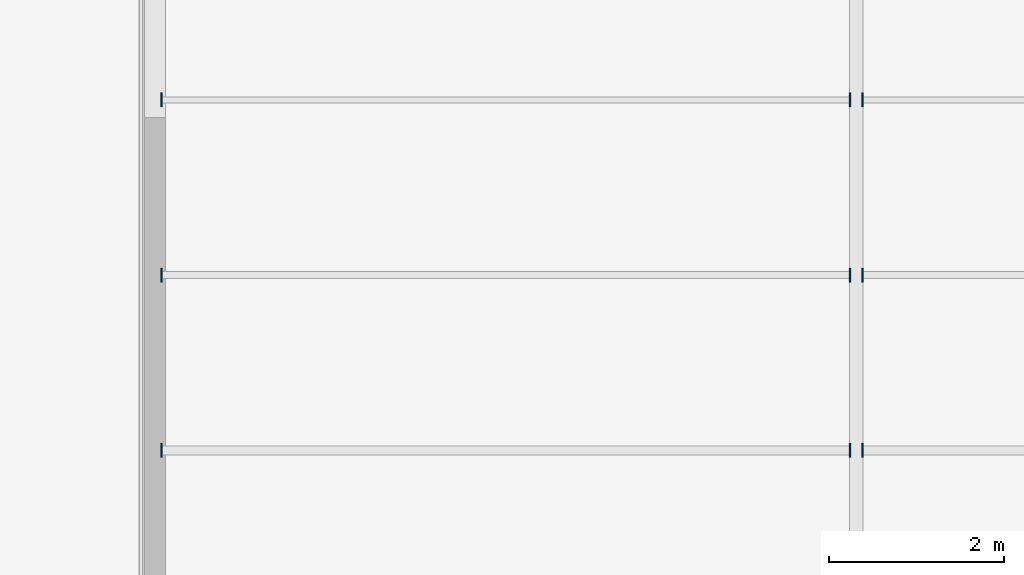
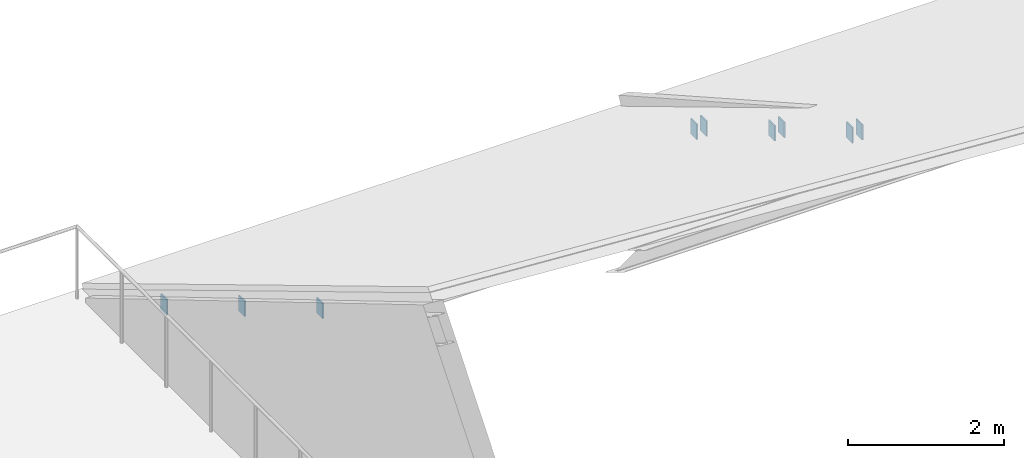
# One storey, part 99 of 155: 9 plates.
"""IFC4 building model written with IfcOpenShell, lengths in metres."""

from ifc_helpers import new_model, si_unit, direction, frame, origin, origin_2d, place, context, subcontext, project, spatial, rectangle, extrude, material, layer, layer_set, type_object, element, save


model = new_model("IFC4")

# Units and contexts
model_context = context("Model", 3, precision=1e-05, world=origin(), true_north=direction((0.0, 1.0)))
body_context = subcontext(model_context, "Body", "Model", "MODEL_VIEW")
ifc_project = project(units=[si_unit("LENGTHUNIT", "METRE"), si_unit("AREAUNIT", "SQUARE_METRE"), si_unit("VOLUMEUNIT", "CUBIC_METRE"), si_unit("PLANEANGLEUNIT", "RADIAN"), si_unit("MASSUNIT", "GRAM", prefix="KILO")], contexts=[model_context])

# Site, building, storey
site_placement = place(None, origin())
site = spatial("IfcSite", under=ifc_project, at=site_placement, CompositionType="ELEMENT")
building_placement = place(site_placement, origin())
building = spatial("IfcBuilding", under=site, at=building_placement, Name="Larkveld Mobility Hub", CompositionType="ELEMENT")
storey_placement = place(building_placement, frame((0.0, 0.0, 8.39990234375)))
storey = spatial("IfcBuildingStorey", under=building, at=storey_placement, Name="L02", CompositionType="ELEMENT", Elevation=8.39990234375)

# Plates
ifc_material = material(Name="Steel S355JR", Category="steel")
ifc_layer = layer(ifc_material, 0.02001953125, Name="Steel S355JR", Category="steel")
ifc_layer_set = layer_set([ifc_layer], Name="Steel S355JR")
plate_type = type_object("IfcPlateType", Name="PT-EC02", PredefinedType="USERDEFINED", material=ifc_layer_set)
for number, where, z_axis, x_axis, name in (
    (1, (152.072021484375, 120.0, 3.18701171875), (0.0, 0.0, 1.0), (1.0, 0.0, 0.0), "Hollow Purlin End Cap Plate PEC-248"),
    (2, (159.927978515625, 120.0, 3.18701171875), (0.0, 0.0, 1.0), (1.0, 0.0, 0.0), "Hollow Purlin End Cap Plate PEC-249"),
    (3, (160.072021484375, 120.0, 3.18701171875), (0.0, 0.0, 1.0), (1.0, 0.0, 0.0), "Hollow Purlin End Cap Plate PEC-250"),
    (4, (152.072021484375, 122.0, 2.00732421875), (0.0, 0.0, 1.0), (1.0, 0.0, 0.0), "Hollow Purlin End Cap Plate PEC-256"),
    (5, (159.927978515625, 122.0, 2.00732421875), (0.0, 0.0, 1.0), (1.0, 0.0, 0.0), "Hollow Purlin End Cap Plate PEC-257"),
    (6, (160.072021484375, 122.0, 2.00732421875), (0.0, 0.0, 1.0), (1.0, 0.0, 0.0), "Hollow Purlin End Cap Plate PEC-258"),
    (7, (152.072021484375, 124.0, 0.81689453125), (0.0, 0.0, 1.0), (1.0, 0.0, 0.0), "Hollow Purlin End Cap Plate PEC-264"),
    (8, (159.927978515625, 124.0, 0.81689453125), (0.0, 0.0, 1.0), (1.0, 0.0, 0.0), "Hollow Purlin End Cap Plate PEC-265"),
    (9, (160.072021484375, 124.0, 0.81689453125), (0.0, 0.0, 1.0), (1.0, 0.0, 0.0), "Hollow Purlin End Cap Plate PEC-266"),
):
    element("IfcPlate", number, at=place(storey_placement, frame(where, z_axis=z_axis, x_axis=x_axis)), inside=storey, type_object=plate_type, Name=name, ObjectType="GUSSET PLATE", PredefinedType="USERDEFINED", context=body_context, shape_type="SweptSolid", body=[
        extrude(rectangle(XDim=0.02001953125, YDim=0.159912109375, at=origin_2d()), origin(), (0.0, 0.0, 1.0), 0.239990234375),
    ])

save(model, "model.ifc")
